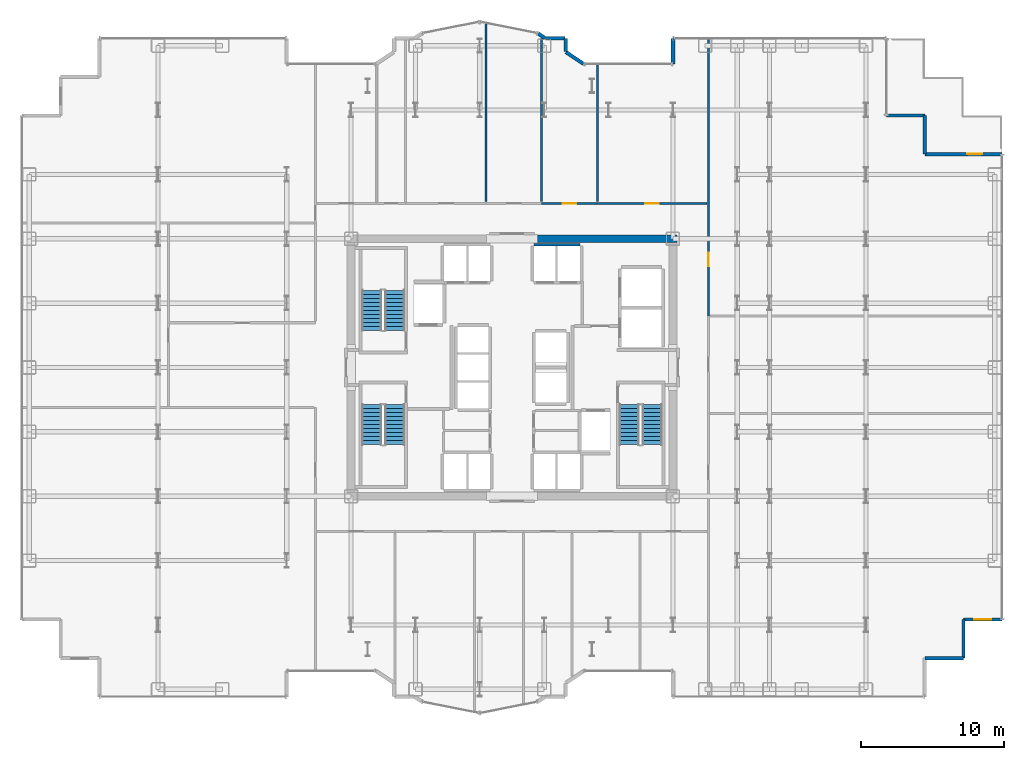
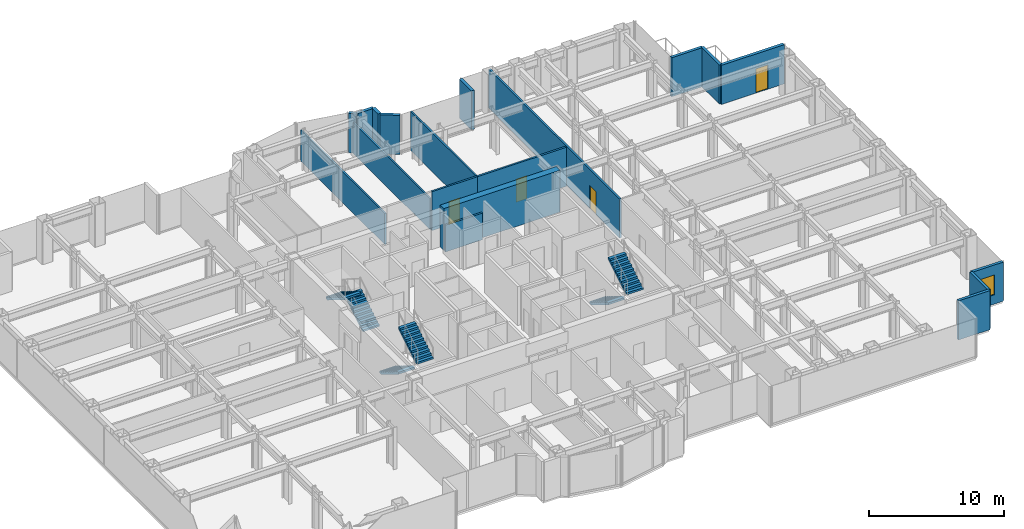
# One storey, part 24 of 26: 19 walls, 6 stair flights, 4 doors, 1 window, 5 openings, 3 elements without a shape of their own.
"""IFC4 building model written with IfcOpenShell, lengths in metres."""

import ifcopenshell
import ifcopenshell.guid

model = None  # the IFC model being written
_history = None  # IfcOwnerHistory: only IFC2X3 demands one
_inside = {}  # id of a spatial element -> (the spatial element, [elements in it])
_under = {}  # id of a project, library or spatial element -> (it, [spatial elements below it])
_declared = {}  # id of a project -> (the project, [libraries it declares])
_typed = {}  # id of a type object -> (the type object, [elements of that type])
_made_of = {}  # id of a material, layer set ... -> (it, [elements and type objects made of it])


def new_model(schema):
    """Start an empty IFC model of exactly this schema.

    Asked for "IFC4X3", IfcOpenShell would pick the latest addendum, in which some entities
    have other attributes; the version numbers below select the first issue.
    IFC2X3 requires an IfcOwnerHistory on every rooted entity: one is made here for all.
    """
    global model, _history
    if schema == "IFC4X3":
        model = ifcopenshell.file(schema_version=(4, 3, 0, 0))
    else:
        model = ifcopenshell.file(schema=schema)
    _inside.clear()
    _under.clear()
    _declared.clear()
    _typed.clear()
    _made_of.clear()
    _history = None
    if model.schema == "IFC2X3":
        org = make("IfcOrganization", Name="unknown")
        user = make(
            "IfcPersonAndOrganization",
            ThePerson=make("IfcPerson", FamilyName="unknown"),
            TheOrganization=org,
        )
        app = make(
            "IfcApplication",
            ApplicationDeveloper=org,
            Version="unknown",
            ApplicationFullName="unknown",
            ApplicationIdentifier="unknown",
        )
        _history = make(
            "IfcOwnerHistory",
            OwningUser=user,
            OwningApplication=app,
            ChangeAction="ADDED",
            CreationDate=0,
        )
    return model


def make(cls, **values):
    """One entity of the class cls with the attributes given. An attribute that is None is left unset."""
    return model.create_entity(
        cls, **{name: value for name, value in values.items() if value is not None}
    )


def rooted(cls, **values):
    """An entity with a GlobalId (a new one), such as an element, a storey or a relation."""
    return make(cls, GlobalId=ifcopenshell.guid.new(), OwnerHistory=_history, **values)


def si_unit(unit_type, name, prefix=None):
    """IfcSIUnit, for example si_unit("LENGTHUNIT", "METRE", prefix="MILLI")."""
    return make("IfcSIUnit", UnitType=unit_type, Prefix=prefix, Name=name)


def assignment(units):
    """IfcUnitAssignment: the units of a project."""
    return None if units is None else make("IfcUnitAssignment", Units=units)


def point(xyz):
    """IfcCartesianPoint."""
    return None if xyz is None else make("IfcCartesianPoint", Coordinates=xyz)


def direction(xyz):
    """IfcDirection."""
    return None if xyz is None else make("IfcDirection", DirectionRatios=xyz)


def frame(location, z_axis=None, x_axis=None):
    """IfcAxis2Placement3D, a coordinate frame: its origin and axes. An axis left out is left unset."""
    return make(
        "IfcAxis2Placement3D",
        Location=point(location),
        Axis=direction(z_axis),
        RefDirection=direction(x_axis),
    )


def frame_2d(location, x_axis=None):
    """IfcAxis2Placement2D, a coordinate frame in the plane: its origin and x axis."""
    return make(
        "IfcAxis2Placement2D", Location=point(location), RefDirection=direction(x_axis)
    )


def origin():
    """The frame at (0, 0, 0) with its axes left unset."""
    return frame((0.0, 0.0, 0.0))


def place(relative_to, where):
    """IfcLocalPlacement: puts the frame where relative to a parent placement (None: the world)."""
    return make(
        "IfcLocalPlacement", PlacementRelTo=relative_to, RelativePlacement=where
    )


def context(
    kind, dimensions, precision=None, world=None, true_north=None, identifier=None
):
    """IfcGeometricRepresentationContext, for example the 3D "Model" context."""
    return make(
        "IfcGeometricRepresentationContext",
        ContextIdentifier=identifier,
        ContextType=kind,
        CoordinateSpaceDimension=dimensions,
        Precision=precision,
        WorldCoordinateSystem=world,
        TrueNorth=true_north,
    )


def subcontext(parent, identifier, kind, view, scale=None):
    """IfcGeometricRepresentationSubContext, for example "Body" below "Model"."""
    return make(
        "IfcGeometricRepresentationSubContext",
        ContextIdentifier=identifier,
        ContextType=kind,
        ParentContext=parent,
        TargetScale=scale,
        TargetView=view,
    )


def project(units=None, contexts=None):
    """IfcProject with its units and contexts."""
    return rooted(
        "IfcProject",
        Name="project",
        RepresentationContexts=contexts,
        UnitsInContext=assignment(units),
    )


def spatial(cls, under=None, at=None, **own):
    """A site, building, storey or space (cls), placed at a placement, below another one or the project."""
    s = rooted(cls, ObjectPlacement=at, **own)
    if under is not None:
        _under.setdefault(under.id(), (under, []))[1].append(s)
    return s


def polyline(points):
    """IfcPolyline through the points."""
    return make("IfcPolyline", Points=[point(p) for p in points])


def profile(cls, at=None, kind="AREA", **sizes):
    """A parametric profile (cls). Its sizes go by their IFC names, for example OverallWidth=200.0."""
    return make(cls, ProfileType=kind, Position=at, **sizes)


def rectangle(**sizes):
    """IfcRectangleProfileDef."""
    return profile("IfcRectangleProfileDef", **sizes)


def outline(outer, holes=None, kind="AREA"):
    """IfcArbitraryClosedProfileDef: a profile drawn as a closed curve; with holes, ...WithVoids."""
    if holes is None:
        return make("IfcArbitraryClosedProfileDef", ProfileType=kind, OuterCurve=outer)
    return make(
        "IfcArbitraryProfileDefWithVoids",
        ProfileType=kind,
        OuterCurve=outer,
        InnerCurves=holes,
    )


def extrude(swept, where, along, depth):
    """IfcExtrudedAreaSolid: the profile swept, set in the frame where, extruded along a direction by depth."""
    return make(
        "IfcExtrudedAreaSolid",
        SweptArea=swept,
        Position=where,
        ExtrudedDirection=direction(along),
        Depth=depth,
    )


def shape(context_of_items, identifier, shape_type, items):
    """IfcShapeRepresentation: the items that make up one representation, for example the "Body"."""
    return make(
        "IfcShapeRepresentation",
        ContextOfItems=context_of_items,
        RepresentationIdentifier=identifier,
        RepresentationType=shape_type,
        Items=items,
    )


def source(mapping_origin, context_of_items, identifier, shape_type, items):
    """IfcRepresentationMap: a shape defined once, which mapped items show again and again."""
    return make(
        "IfcRepresentationMap",
        MappingOrigin=mapping_origin,
        MappedRepresentation=shape(context_of_items, identifier, shape_type, items),
    )


def transform(
    local_origin,
    x_axis=None,
    y_axis=None,
    z_axis=None,
    scale=None,
    scale2=None,
    scale3=None,
    uniform=True,
):
    """IfcCartesianTransformationOperator3D, or its non-uniform kind. x_axis, y_axis, z_axis: its Axis1, 2, 3."""
    if uniform:
        return make(
            "IfcCartesianTransformationOperator3D",
            Axis1=direction(x_axis),
            Axis2=direction(y_axis),
            LocalOrigin=point(local_origin),
            Scale=scale,
            Axis3=direction(z_axis),
        )
    return make(
        "IfcCartesianTransformationOperator3DnonUniform",
        Axis1=direction(x_axis),
        Axis2=direction(y_axis),
        LocalOrigin=point(local_origin),
        Scale=scale,
        Axis3=direction(z_axis),
        Scale2=scale2,
        Scale3=scale3,
    )


def mapped(mapping_source, mapping_target):
    """IfcMappedItem: shows the shape of a source again, moved by a transform."""
    return make(
        "IfcMappedItem", MappingSource=mapping_source, MappingTarget=mapping_target
    )


def material(Name=None, Category=None):
    """IfcMaterial."""
    return make("IfcMaterial", Name=Name, Category=Category)


def layer(
    of_material, thickness, ventilated=None, Name=None, Category=None, Priority=None
):
    """IfcMaterialLayer: one layer of a wall or slab, of a material (None: an air gap)."""
    return make(
        "IfcMaterialLayer",
        Material=of_material,
        LayerThickness=thickness,
        IsVentilated=ventilated,
        Name=Name,
        Category=Category,
        Priority=Priority,
    )


def layer_set(layers, Name=None):
    """IfcMaterialLayerSet."""
    return make("IfcMaterialLayerSet", MaterialLayers=layers, LayerSetName=Name)


def made_of(thing, what):
    """Note that an element or type object is made of a material, layer set ...; save() writes the relation."""
    if what is not None:
        _made_of.setdefault(what.id(), (what, []))[1].append(thing)
    return thing


def type_object(cls, material=None, **own):
    """A type object (cls), such as IfcWallType, which elements share."""
    return made_of(rooted(cls, **own), material)


def element(
    cls,
    number,
    at=None,
    inside=None,
    cuts=None,
    type_object=None,
    material=None,
    context=None,
    identifier="Body",
    shape_type=None,
    held_by="IfcProductDefinitionShape",
    body=None,
    shapes=None,
    **own,
):
    """One element of the class cls, such as IfcWall. Its Tag is "e" and its number.

    at: its placement. inside: the storey or other place that contains it. cuts: it is an
    opening in that element (IfcRelVoidsElement). A single representation is given by context,
    identifier, shape_type and body (its items); several are given by shapes. held_by: the class
    of the entity that holds the representations. save() writes the other relations.
    """
    e = rooted(cls, Tag="e%d" % number, ObjectPlacement=at, **own)
    if body is not None:
        shapes = [shape(context, identifier, shape_type, body)]
    if shapes is not None:
        e.Representation = make(held_by, Representations=shapes)
    if inside is not None:
        _inside.setdefault(inside.id(), (inside, []))[1].append(e)
    if cuts is not None:
        rooted(
            "IfcRelVoidsElement", RelatingBuildingElement=cuts, RelatedOpeningElement=e
        )
    if type_object is not None:
        _typed.setdefault(type_object.id(), (type_object, []))[1].append(e)
    return made_of(e, material)


def fill(opening, filler):
    """IfcRelFillsElement: the door or window that sits in an opening."""
    return rooted(
        "IfcRelFillsElement",
        RelatingOpeningElement=opening,
        RelatedBuildingElement=filler,
    )


def aggregate(whole, parts):
    """IfcRelAggregates: a whole, such as a stair, and the parts it consists of."""
    return rooted("IfcRelAggregates", RelatingObject=whole, RelatedObjects=parts)


def save(model, path):
    """Write the relations noted so far, then the file.

    IfcRelAggregates (storeys below a building ...), IfcRelContainedInSpatialStructure (elements
    in a storey), IfcRelDefinesByType, IfcRelAssociatesMaterial and IfcRelDeclares: one each for
    every whole, place, type object, material and project.
    """
    for whole, parts in _under.values():
        aggregate(whole, parts)
    for where, things in _inside.values():
        rooted(
            "IfcRelContainedInSpatialStructure",
            RelatedElements=things,
            RelatingStructure=where,
        )
    for kind, things in _typed.values():
        rooted("IfcRelDefinesByType", RelatedObjects=things, RelatingType=kind)
    for what, things in _made_of.values():
        rooted("IfcRelAssociatesMaterial", RelatedObjects=things, RelatingMaterial=what)
    for by, libraries in _declared.values():
        rooted("IfcRelDeclares", RelatingContext=by, RelatedDefinitions=libraries)
    model.write(path)


model = new_model("IFC4")

# Units and contexts
model_context = context("Model", 3, precision=1e-05, world=origin(), true_north=direction((0.0, 1.0)))
body_context = subcontext(model_context, "Body", "Model", "MODEL_VIEW")
ifc_project = project(units=[si_unit("LENGTHUNIT", "METRE"), si_unit("AREAUNIT", "SQUARE_METRE"), si_unit("VOLUMEUNIT", "CUBIC_METRE"), si_unit("PLANEANGLEUNIT", "RADIAN"), si_unit("MASSUNIT", "GRAM", prefix="KILO")], contexts=[model_context])

# Site, building, storey
site_placement = place(None, origin())
site = spatial("IfcSite", under=ifc_project, at=site_placement, CompositionType="ELEMENT")
building_placement = place(site_placement, origin())
building = spatial("IfcBuilding", under=site, at=building_placement, Name="Nefas-Gora Pilgrimage Tower", CompositionType="ELEMENT")
storey_placement = place(building_placement, frame((0.0, 0.0, 106.0)))
storey = spatial("IfcBuildingStorey", under=building, at=storey_placement, Name="L25", CompositionType="ELEMENT", Elevation=106.0)

# Walls
ifc_material_1 = material(Name="Concrete C60/75", Category="concrete")
ifc_layer_1 = layer(ifc_material_1, 0.550048828125)
ifc_layer_set_1 = layer_set([ifc_layer_1], Name="Concrete C60/75")
wall_type_1 = type_object("IfcWallType", Name="SW-CORE-550", PredefinedType="SHEAR", material=ifc_layer_set_1)
shared_shape_1 = source(origin(), body_context, "Body", "SweptSolid", [
    extrude(rectangle(XDim=9.974853515625, YDim=0.550048828125, at=frame_2d((4.9873046875, 0.0))), origin(), (0.0, 0.0, 1.0), 3.800048828125),
])
wall_1_placement = place(storey_placement, frame((1.550048828125, 9.0, 0.0), z_axis=(0.0, 0.0, 1.0), x_axis=(1.0, 0.0, 0.0)))
element("IfcWall", 1, at=wall_1_placement, inside=storey, type_object=wall_type_1, Name="L25 Core Shear Wall N-East", PredefinedType="SHEAR", context=body_context, shape_type="MappedRepresentation", body=[
    mapped(shared_shape_1, transform((0.0, 0.0, 0.0), x_axis=(1.0, 0.0, 0.0), y_axis=(0.0, 1.0, 0.0), z_axis=(0.0, 0.0, 1.0), scale=1.0)),
])
ifc_material_2 = material(Name="Precast concrete C40/50", Category="concrete")
ifc_layer_2 = layer(ifc_material_2, 0.260009765625)
ifc_layer_set_2 = layer_set([ifc_layer_2], Name="Precast concrete C40/50")
wall_type_2 = type_object("IfcWallType", Name="EW-PORTAL-260", PredefinedType="SOLIDWALL", material=ifc_layer_set_2)
shared_shape_2 = source(origin(), body_context, "Body", "SweptSolid", [
    extrude(rectangle(XDim=1.800048828125, YDim=0.260009765625, at=frame_2d((0.89990234375, 0.0))), origin(), (0.0, 0.0, 1.0), 3.550048828125),
])
wall_2_placement = place(storey_placement, frame((11.25, 23.02001953125, 0.0), z_axis=(0.0, 0.0, 1.0), x_axis=(0.0, -1.0, 0.0)))
element("IfcWall", 2, at=wall_2_placement, inside=storey, type_object=wall_type_2, Name="L25 Lobe Shoulder Precast Spandrel Pier 9", PredefinedType="SOLIDWALL", context=body_context, shape_type="MappedRepresentation", body=[
    mapped(shared_shape_2, transform((0.0, 0.0, 0.0), x_axis=(1.0, 0.0, 0.0), y_axis=(0.0, 1.0, 0.0), z_axis=(0.0, 0.0, 1.0), scale=1.0)),
])
ifc_material_3 = material(Name="Precast concrete C45/55", Category="concrete")
ifc_layer_3 = layer(ifc_material_3, 0.239990234375)
ifc_layer_set_3 = layer_set([ifc_layer_3], Name="Precast concrete C45/55")
wall_type_3 = type_object("IfcWallType", Name="EW-SERR-240", PredefinedType="SHEAR", material=ifc_layer_set_3)
shared_shape_3 = source(origin(), body_context, "Body", "SweptSolid", [
    extrude(rectangle(XDim=2.699951171875, YDim=0.239990234375, at=frame_2d((1.35009765625, 0.0))), origin(), (0.0, 0.0, 1.0), 3.550048828125),
])
for number, where, z_axis, x_axis, name in (
    (3, (28.8701171875, -20.320068359375, 0.0), (0.0, 0.0, 1.0), (1.0, 0.0, 0.0), "L25 Serrated Corner Shear Pier Wall 3"),
    (4, (31.570068359375, -20.320068359375, 0.0), (0.0, 0.0, 1.0), (0.0, 1.0, 0.0), "L25 Serrated Corner Shear Pier Wall 4"),
):
    element("IfcWall", number, at=place(storey_placement, frame(where, z_axis=z_axis, x_axis=x_axis)), inside=storey, type_object=wall_type_3, Name=name, PredefinedType="SHEAR", context=body_context, shape_type="MappedRepresentation", body=[
        mapped(shared_shape_3, transform((0.0, 0.0, 0.0), x_axis=(1.0, 0.0, 0.0), y_axis=(0.0, 1.0, 0.0), z_axis=(0.0, 0.0, 1.0), scale=1.0)),
    ])

# Wall, opening, window
wall_3_placement = place(storey_placement, frame((31.570068359375, -17.6201171875, 0.0), z_axis=(0.0, 0.0, 1.0), x_axis=(1.0, 0.0, 0.0)))
wall_3 = element("IfcWall", 5, at=wall_3_placement, inside=storey, type_object=wall_type_3, Name="L25 Serrated Corner Shear Pier Wall 5", PredefinedType="SHEAR", context=body_context, shape_type="MappedRepresentation", body=[
    mapped(shared_shape_3, transform((0.0, 0.0, 0.0), x_axis=(1.0, 0.0, 0.0), y_axis=(0.0, 1.0, 0.0), z_axis=(0.0, 0.0, 1.0), scale=1.0)),
])
opening_1_placement = place(wall_3_placement, frame((0.75, 0.0, 0.85009765625)))
opening_1 = element("IfcOpeningElement", 6, at=opening_1_placement, cuts=wall_3, Name="Opening W-V1", PredefinedType="OPENING", context=body_context, shape_type="SweptSolid", body=[
    extrude(rectangle(XDim=1.199951171875, YDim=1.800048828125, at=frame_2d((0.60009765625, 0.89990234375))), frame((0.0, 0.1298828125, 0.0), z_axis=(0.0, -1.0, 0.0), x_axis=(1.0, 0.0, 0.0)), (0.0, 0.0, 1.0), 0.260009765625),
])
ifc_material_4 = material(Name="Dark ceramic-fritted operable aluminium-glass window", Category="aluminium")
window_type = type_object("IfcWindowType", Name="WIN-VENT-1200x1800", PartitioningType="SINGLE_PANEL", PredefinedType="WINDOW", material=ifc_material_4)
shared_shape_4 = source(origin(), body_context, "Body", "SweptSolid", [
    extrude(rectangle(XDim=1.199951171875, YDim=1.800048828125, at=frame_2d((0.60009765625, 0.89990234375))), frame((0.0, 0.030029296875, 0.0), z_axis=(0.0, -1.0, 0.0), x_axis=(1.0, 0.0, 0.0)), (0.0, 0.0, 1.0), 0.06005859375),
])
window_placement = place(opening_1_placement, origin())
window = element("IfcWindow", 7, at=window_placement, inside=storey, type_object=window_type, Name="L25 Operable Parallel-Outswing Window 5", OverallHeight=1.800048828125, OverallWidth=1.199951171875, PartitioningType="SINGLE_PANEL", PredefinedType="WINDOW", context=body_context, shape_type="MappedRepresentation", body=[
    mapped(shared_shape_4, transform((0.0, 0.0, 0.0), x_axis=(1.0, 0.0, 0.0), y_axis=(0.0, 1.0, 0.0), z_axis=(0.0, 0.0, 1.0), scale=1.0)),
])
fill(opening_1, window)

# Walls
shared_shape_5 = source(origin(), body_context, "Body", "SweptSolid", [
    extrude(rectangle(XDim=1.468994140625, YDim=0.260009765625, at=frame_2d((0.734375, 0.0))), origin(), (0.0, 0.0, 1.0), 3.550048828125),
])
wall_4_placement = place(storey_placement, frame((4.99462890625, 21.235595703125, 0.0), z_axis=(0.0, 0.0, 1.0), x_axis=(-0.831461760506, 0.555581983884, 0.0)))
element("IfcWall", 8, at=wall_4_placement, inside=storey, type_object=wall_type_2, Name="L25 Lobe Shoulder Precast Spandrel Pier 10", PredefinedType="SOLIDWALL", context=body_context, shape_type="MappedRepresentation", body=[
    mapped(shared_shape_5, transform((0.0, 0.0, 0.0), x_axis=(1.0, 0.0, 0.0), y_axis=(0.0, 1.0, 0.0), z_axis=(0.0, 0.0, 1.0), scale=1.0)),
])
shared_shape_6 = source(origin(), body_context, "Body", "SweptSolid", [
    extrude(rectangle(XDim=0.896728515625, YDim=0.260009765625, at=frame_2d((0.4482421875, 0.0))), origin(), (0.0, 0.0, 1.0), 3.550048828125),
])
wall_5_placement = place(storey_placement, frame((3.75, 22.09521484375, 0.0), z_axis=(0.0, 0.0, 1.0), x_axis=(0.0, 1.0, 0.0)))
element("IfcWall", 9, at=wall_5_placement, inside=storey, type_object=wall_type_2, Name="L25 Lobe Shoulder Precast Spandrel Pier 11", PredefinedType="SOLIDWALL", context=body_context, shape_type="MappedRepresentation", body=[
    mapped(shared_shape_6, transform((0.0, 0.0, 0.0), x_axis=(1.0, 0.0, 0.0), y_axis=(0.0, 1.0, 0.0), z_axis=(0.0, 0.0, 1.0), scale=1.0)),
])
shared_shape_7 = source(origin(), body_context, "Body", "SweptSolid", [
    extrude(rectangle(XDim=1.369873046875, YDim=0.260009765625, at=frame_2d((0.68505859375, 0.0))), origin(), (0.0, 0.0, 1.0), 3.550048828125),
])
wall_6_placement = place(storey_placement, frame((3.721923828125, 23.02001953125, 0.0), z_axis=(0.0, 0.0, 1.0), x_axis=(-1.0, 0.0, 0.0)))
element("IfcWall", 10, at=wall_6_placement, inside=storey, type_object=wall_type_2, Name="L25 Lobe Shoulder Precast Spandrel Pier 12", PredefinedType="SOLIDWALL", context=body_context, shape_type="MappedRepresentation", body=[
    mapped(shared_shape_7, transform((0.0, 0.0, 0.0), x_axis=(1.0, 0.0, 0.0), y_axis=(0.0, 1.0, 0.0), z_axis=(0.0, 0.0, 1.0), scale=1.0)),
])
shared_shape_8 = source(origin(), body_context, "Body", "SweptSolid", [
    extrude(rectangle(XDim=0.5654296875, YDim=0.260009765625, at=frame_2d((0.28271484375, 0.0))), origin(), (0.0, 0.0, 1.0), 3.550048828125),
])
wall_7_placement = place(storey_placement, frame((2.30078125, 23.03564453125, 0.0), z_axis=(0.0, 0.0, 1.0), x_axis=(-0.831651492666, 0.555297933317, 0.0)))
element("IfcWall", 11, at=wall_7_placement, inside=storey, type_object=wall_type_2, Name="L25 Lobe Shoulder Precast Spandrel Pier 13", PredefinedType="SOLIDWALL", context=body_context, shape_type="MappedRepresentation", body=[
    mapped(shared_shape_8, transform((0.0, 0.0, 0.0), x_axis=(1.0, 0.0, 0.0), y_axis=(0.0, 1.0, 0.0), z_axis=(0.0, 0.0, 1.0), scale=1.0)),
])

# Wall, opening, door
shared_shape_9 = source(origin(), body_context, "Body", "SweptSolid", [
    extrude(rectangle(XDim=5.39990234375, YDim=0.260009765625, at=frame_2d((2.699951171875, 0.0))), origin(), (0.0, 0.0, 1.0), 3.550048828125),
])
wall_8_placement = place(storey_placement, frame((34.27001953125, 14.919921875, 0.0), z_axis=(0.0, 0.0, 1.0), x_axis=(-1.0, 0.0, 0.0)))
wall_8 = element("IfcWall", 12, at=wall_8_placement, inside=storey, type_object=wall_type_2, Name="L25 Insulated Terrace Portal Wall 6", PredefinedType="SOLIDWALL", context=body_context, shape_type="MappedRepresentation", body=[
    mapped(shared_shape_9, transform((0.0, 0.0, 0.0), x_axis=(1.0, 0.0, 0.0), y_axis=(0.0, 1.0, 0.0), z_axis=(0.0, 0.0, 1.0), scale=1.0)),
])
opening_2_placement = place(wall_8_placement, frame((1.39697265625, 0.0, 0.0)))
opening_2 = element("IfcOpeningElement", 13, at=opening_2_placement, cuts=wall_8, Name="Opening ED-T1", PredefinedType="OPENING", context=body_context, shape_type="SweptSolid", body=[
    extrude(rectangle(XDim=1.050048828125, YDim=2.199951171875, at=frame_2d((0.52490234375, 1.10009765625))), frame((0.0, 0.139892578125, 0.0), z_axis=(0.0, -1.0, 0.0), x_axis=(1.0, 0.0, 0.0)), (0.0, 0.0, 1.0), 0.280029296875),
])
ifc_material_5 = material(Name="Thermally broken glazed aluminium terrace door", Category="aluminium")
door_type_1 = type_object("IfcDoorType", Name="DR-EXT-TER-1050", OperationType="NOTDEFINED", PredefinedType="DOOR", material=ifc_material_5)
shared_shape_10 = source(origin(), body_context, "Body", "SweptSolid", [
    extrude(rectangle(XDim=1.050048828125, YDim=2.199951171875, at=frame_2d((0.52490234375, 1.10009765625))), frame((0.0, 0.02490234375, 0.0), z_axis=(0.0, -1.0, 0.0), x_axis=(1.0, 0.0, 0.0)), (0.0, 0.0, 1.0), 0.050048828125),
])
door_1_placement = place(opening_2_placement, origin())
door_1 = element("IfcDoor", 14, at=door_1_placement, inside=storey, type_object=door_type_1, Name="L25 Exterior Door (L25 Outdoor Terrace TER-SP-NE)", OperationType="SINGLE_SWING_LEFT", OverallHeight=2.199951171875, OverallWidth=1.050048828125, PredefinedType="DOOR", context=body_context, shape_type="MappedRepresentation", body=[
    mapped(shared_shape_10, transform((0.0, 0.0, 0.0), x_axis=(1.0, 0.0, 0.0), y_axis=(0.0, 1.0, 0.0), z_axis=(0.0, 0.0, 1.0), scale=1.0)),
])
fill(opening_2, door_1)

# Walls
shared_shape_11 = source(origin(), body_context, "Body", "SweptSolid", [
    extrude(rectangle(XDim=2.7001953125, YDim=0.239990234375, at=frame_2d((1.35009765625, 0.0))), origin(), (0.0, 0.0, 1.0), 3.550048828125),
])
for number, where, z_axis, x_axis, name in (
    (15, (28.8701171875, 14.919921875, 0.0), (0.0, 0.0, 1.0), (0.0, 1.0, 0.0), "L25 Serrated Corner Shear Pier Wall 7"),
    (16, (28.8701171875, 17.6201171875, 0.0), (0.0, 0.0, 1.0), (-1.0, 0.0, 0.0), "L25 Serrated Corner Shear Pier Wall 8"),
):
    element("IfcWall", number, at=place(storey_placement, frame(where, z_axis=z_axis, x_axis=x_axis)), inside=storey, type_object=wall_type_3, Name=name, PredefinedType="SHEAR", context=body_context, shape_type="MappedRepresentation", body=[
        mapped(shared_shape_11, transform((0.0, 0.0, 0.0), x_axis=(1.0, 0.0, 0.0), y_axis=(0.0, 1.0, 0.0), z_axis=(0.0, 0.0, 1.0), scale=1.0)),
    ])
ifc_material_6 = material(Name="Gypsum acoustic stud partition")
ifc_layer_4 = layer(ifc_material_6, 0.159912109375)
ifc_layer_set_4 = layer_set([ifc_layer_4], Name="Gypsum acoustic stud partition")
wall_type_4 = type_object("IfcWallType", Name="IW-CORR-160", PredefinedType="PARTITIONING", material=ifc_layer_set_4)
shared_shape_12 = source(origin(), body_context, "Body", "SweptSolid", [
    extrude(rectangle(XDim=3.199951171875, YDim=0.159912109375, at=frame_2d((1.60009765625, 0.0))), origin(), (0.0, 0.0, 1.0), 2.425048828125),
])
wall_9_placement = place(storey_placement, frame((4.75, 8.580078125, 0.0), z_axis=(0.0, 0.0, 1.0), x_axis=(-1.0, 0.0, 0.0)))
element("IfcWall", 17, at=wall_9_placement, inside=storey, type_object=wall_type_4, Name="L25 Hoistway Wall PL1-E-N", PredefinedType="PARTITIONING", context=body_context, shape_type="MappedRepresentation", body=[
    mapped(shared_shape_12, transform((0.0, 0.0, 0.0), x_axis=(1.0, 0.0, 0.0), y_axis=(0.0, 1.0, 0.0), z_axis=(0.0, 0.0, 1.0), scale=1.0)),
])
ifc_material_7 = material(Name="Gypsum twin-stud partition")
ifc_layer_5 = layer(ifc_material_7, 0.139892578125)
ifc_layer_set_5 = layer_set([ifc_layer_5], Name="Gypsum twin-stud partition")
wall_type_5 = type_object("IfcWallType", Name="IW-UNIT-140", PredefinedType="PARTITIONING", material=ifc_layer_set_5)
shared_shape_13 = source(origin(), body_context, "Body", "SweptSolid", [
    extrude(rectangle(XDim=9.64990234375, YDim=0.139892578125, at=frame_2d((4.824951171875, 0.0))), origin(), (0.0, 0.0, 1.0), 3.534912109375),
])
wall_10_placement = place(storey_placement, frame((5.969970703125, 11.590087890625, 0.0), z_axis=(0.0, 0.0, 1.0), x_axis=(0.0, 1.0, 0.0)))
element("IfcWall", 18, at=wall_10_placement, inside=storey, type_object=wall_type_5, Name="L25 Pilgrim Contemplative Lounge Partition Wall 44", PredefinedType="PARTITIONING", context=body_context, shape_type="MappedRepresentation", body=[
    mapped(shared_shape_13, transform((0.0, 0.0, 0.0), x_axis=(1.0, 0.0, 0.0), y_axis=(0.0, 1.0, 0.0), z_axis=(0.0, 0.0, 1.0), scale=1.0)),
])

# Wall, opening, door
shared_shape_14 = source(origin(), body_context, "Body", "SweptSolid", [
    extrude(rectangle(XDim=19.445068359375, YDim=0.159912109375, at=frame_2d((9.72265625, 0.0))), origin(), (0.0, 0.0, 1.0), 3.534912109375),
])
wall_11_placement = place(storey_placement, frame((13.739990234375, 3.594970703125, 0.0), z_axis=(0.0, 0.0, 1.0), x_axis=(0.0, 1.0, 0.0)))
wall_11 = element("IfcWall", 19, at=wall_11_placement, inside=storey, type_object=wall_type_4, Name="L25 Pilgrim Fellowship Seminar Room Partition Wall 39", PredefinedType="PARTITIONING", context=body_context, shape_type="MappedRepresentation", body=[
    mapped(shared_shape_14, transform((0.0, 0.0, 0.0), x_axis=(1.0, 0.0, 0.0), y_axis=(0.0, 1.0, 0.0), z_axis=(0.0, 0.0, 1.0), scale=1.0)),
])
opening_3_placement = place(wall_11_placement, frame((3.482421875, 0.0, 0.0)))
opening_3 = element("IfcOpeningElement", 20, at=opening_3_placement, cuts=wall_11, Name="Opening ID-GR1", PredefinedType="OPENING", context=body_context, shape_type="SweptSolid", body=[
    extrude(rectangle(XDim=0.949951171875, YDim=2.10009765625, at=frame_2d((0.47509765625, 1.050048828125))), frame((0.0, 0.08984375, 0.0), z_axis=(0.0, -1.0, 0.0), x_axis=(1.0, 0.0, 0.0)), (0.0, 0.0, 1.0), 0.179931640625),
])
ifc_material_8 = material(Name="Solid core oak fire-rated guest entrance door")
door_type_2 = type_object("IfcDoorType", Name="DR-INT-GUEST-950", OperationType="NOTDEFINED", PredefinedType="DOOR", material=ifc_material_8)
shared_shape_15 = source(origin(), body_context, "Body", "SweptSolid", [
    extrude(rectangle(XDim=0.949951171875, YDim=2.10009765625, at=frame_2d((0.47509765625, 1.050048828125))), frame((0.0, 0.02490234375, 0.0), z_axis=(0.0, -1.0, 0.0), x_axis=(1.0, 0.0, 0.0)), (0.0, 0.0, 1.0), 0.050048828125),
])
door_2_placement = place(opening_3_placement, origin())
door_2 = element("IfcDoor", 21, at=door_2_placement, inside=storey, type_object=door_type_2, Name="L25 Pilgrim Fellowship Seminar Room Door 17", OperationType="SINGLE_SWING_LEFT", OverallHeight=2.10009765625, OverallWidth=0.949951171875, PredefinedType="DOOR", context=body_context, shape_type="MappedRepresentation", body=[
    mapped(shared_shape_15, transform((0.0, 0.0, 0.0), x_axis=(1.0, 0.0, 0.0), y_axis=(0.0, 1.0, 0.0), z_axis=(0.0, 0.0, 1.0), scale=1.0)),
])
fill(opening_3, door_2)

# Wall
shared_shape_16 = source(origin(), body_context, "Body", "SweptSolid", [
    extrude(rectangle(XDim=12.51416015625, YDim=0.139892578125, at=frame_2d((6.257080078125, 0.0))), origin(), (0.0, 0.0, 1.0), 2.824951171875),
])
wall_12_placement = place(storey_placement, frame((-1.804931640625, 11.590087890625, 0.0), z_axis=(0.0, 0.0, 1.0), x_axis=(0.0, 1.0, 0.0)))
element("IfcWall", 22, at=wall_12_placement, inside=storey, type_object=wall_type_5, Name="L25 Pilgrim Contemplative Lounge Partition Wall 42", PredefinedType="PARTITIONING", context=body_context, shape_type="MappedRepresentation", body=[
    mapped(shared_shape_16, transform((0.0, 0.0, 0.0), x_axis=(1.0, 0.0, 0.0), y_axis=(0.0, 1.0, 0.0), z_axis=(0.0, 0.0, 1.0), scale=1.0)),
])

# Wall, opening, door
shared_shape_17 = source(origin(), body_context, "Body", "SweptSolid", [
    extrude(rectangle(XDim=7.66015625, YDim=0.159912109375, at=frame_2d((3.830078125, 0.0))), origin(), (0.0, 0.0, 1.0), 3.534912109375),
])
wall_13_placement = place(storey_placement, frame((5.9599609375, 11.469970703125, 0.0), z_axis=(0.0, 0.0, 1.0), x_axis=(1.0, 0.0, 0.0)))
wall_13 = element("IfcWall", 23, at=wall_13_placement, inside=storey, type_object=wall_type_4, Name="L25 Pilgrim Contemplative Lounge Partition Wall 43", PredefinedType="PARTITIONING", context=body_context, shape_type="MappedRepresentation", body=[
    mapped(shared_shape_17, transform((0.0, 0.0, 0.0), x_axis=(1.0, 0.0, 0.0), y_axis=(0.0, 1.0, 0.0), z_axis=(0.0, 0.0, 1.0), scale=1.0)),
])
opening_4_placement = place(wall_13_placement, frame((3.35498046875, 0.0, 0.0)))
opening_4 = element("IfcOpeningElement", 24, at=opening_4_placement, cuts=wall_13, Name="Opening ID-GR1", PredefinedType="OPENING", context=body_context, shape_type="SweptSolid", body=[
    extrude(rectangle(XDim=0.949951171875, YDim=2.10009765625, at=frame_2d((0.47509765625, 1.050048828125))), frame((0.0, 0.08984375, 0.0), z_axis=(0.0, -1.0, 0.0), x_axis=(1.0, 0.0, 0.0)), (0.0, 0.0, 1.0), 0.179931640625),
])
door_3_placement = place(opening_4_placement, origin())
door_3 = element("IfcDoor", 25, at=door_3_placement, inside=storey, type_object=door_type_2, Name="L25 Pilgrim Contemplative Lounge Door 20", OperationType="SINGLE_SWING_RIGHT", OverallHeight=2.10009765625, OverallWidth=0.949951171875, PredefinedType="DOOR", context=body_context, shape_type="MappedRepresentation", body=[
    mapped(shared_shape_15, transform((0.0, 0.0, 0.0), x_axis=(1.0, 0.0, 0.0), y_axis=(0.0, 1.0, 0.0), z_axis=(0.0, 0.0, 1.0), scale=1.0)),
])
fill(opening_4, door_3)

# Wall
shared_shape_18 = source(origin(), body_context, "Body", "SweptSolid", [
    extrude(rectangle(XDim=11.3994140625, YDim=0.139892578125, at=frame_2d((5.69970703125, 0.0))), origin(), (0.0, 0.0, 1.0), 2.824951171875),
])
wall_14_placement = place(storey_placement, frame((2.0673828125, 11.590087890625, 0.0), z_axis=(0.0, 0.0, 1.0), x_axis=(0.0, 1.0, 0.0)))
element("IfcWall", 26, at=wall_14_placement, inside=storey, type_object=wall_type_5, Name="L25 Pilgrim Contemplative Lounge Partition Wall 46", PredefinedType="PARTITIONING", context=body_context, shape_type="MappedRepresentation", body=[
    mapped(shared_shape_18, transform((0.0, 0.0, 0.0), x_axis=(1.0, 0.0, 0.0), y_axis=(0.0, 1.0, 0.0), z_axis=(0.0, 0.0, 1.0), scale=1.0)),
])

# Wall, opening, door
shared_shape_19 = source(origin(), body_context, "Body", "SweptSolid", [
    extrude(rectangle(XDim=3.882568359375, YDim=0.159912109375, at=frame_2d((1.94140625, 0.0))), origin(), (0.0, 0.0, 1.0), 3.534912109375),
])
wall_15_placement = place(storey_placement, frame((2.077392578125, 11.469970703125, 0.0), z_axis=(0.0, 0.0, 1.0), x_axis=(1.0, 0.0, 0.0)))
wall_15 = element("IfcWall", 27, at=wall_15_placement, inside=storey, type_object=wall_type_4, Name="L25 Pilgrim Contemplative Lounge Partition Wall 47", PredefinedType="PARTITIONING", context=body_context, shape_type="MappedRepresentation", body=[
    mapped(shared_shape_19, transform((0.0, 0.0, 0.0), x_axis=(1.0, 0.0, 0.0), y_axis=(0.0, 1.0, 0.0), z_axis=(0.0, 0.0, 1.0), scale=1.0)),
])
opening_5_placement = place(wall_15_placement, frame((1.46630859375, 0.0, 0.0)))
opening_5 = element("IfcOpeningElement", 28, at=opening_5_placement, cuts=wall_15, Name="Opening ID-GR1", PredefinedType="OPENING", context=body_context, shape_type="SweptSolid", body=[
    extrude(rectangle(XDim=0.949951171875, YDim=2.10009765625, at=frame_2d((0.47509765625, 1.050048828125))), frame((0.0, 0.08984375, 0.0), z_axis=(0.0, -1.0, 0.0), x_axis=(1.0, 0.0, 0.0)), (0.0, 0.0, 1.0), 0.179931640625),
])
door_4_placement = place(opening_5_placement, origin())
door_4 = element("IfcDoor", 29, at=door_4_placement, inside=storey, type_object=door_type_2, Name="L25 Pilgrim Contemplative Lounge Door 22", OperationType="SINGLE_SWING_RIGHT", OverallHeight=2.10009765625, OverallWidth=0.949951171875, PredefinedType="DOOR", context=body_context, shape_type="MappedRepresentation", body=[
    mapped(shared_shape_15, transform((0.0, 0.0, 0.0), x_axis=(1.0, 0.0, 0.0), y_axis=(0.0, 1.0, 0.0), z_axis=(0.0, 0.0, 1.0), scale=1.0)),
])
fill(opening_5, door_4)

# Stair, stair flights
ifc_material_9 = material(Name="Concrete C45/55", Category="concrete")
stair_type = type_object("IfcStairType", Name="STR-1400-R1727", PredefinedType="HALF_TURN_STAIR", material=ifc_material_9)
stair_1_placement = place(storey_placement, origin())
stair_1 = element("IfcStair", 30, at=stair_1_placement, inside=storey, type_object=stair_type, Name="L25 Pressurised Tower Exit Stair ST-01", PredefinedType="HALF_TURN_STAIR")
stair_flight_type = type_object("IfcStairFlightType", Name="STF-1400-R1727", PredefinedType="STRAIGHT", material=ifc_material_9)
shared_shape_20 = source(origin(), body_context, "Body", "SweptSolid", [
    extrude(outline(polyline([(0.0, 0.0), (0.0, 0.172607421875), (0.280029296875, 0.172607421875), (0.280029296875, 0.345458984375), (0.56005859375, 0.345458984375), (0.56005859375, 0.51806640625), (0.840087890625, 0.51806640625), (0.840087890625, 0.69091796875), (1.1201171875, 0.69091796875), (1.1201171875, 0.863525390625), (1.39990234375, 0.863525390625), (1.39990234375, 1.036376953125), (1.679931640625, 1.036376953125), (1.679931640625, 1.208984375), (1.9599609375, 1.208984375), (1.9599609375, 1.3818359375), (2.239990234375, 1.3818359375), (2.239990234375, 1.554443359375), (2.52001953125, 1.554443359375), (2.52001953125, 1.727294921875), (2.800048828125, 1.727294921875), (2.800048828125, 1.89990234375), (2.800048828125, 1.551025390625), (0.285400390625, 0.0), (0.0, 0.0)])), frame((0.0, 0.699951171875, 0.0), z_axis=(0.0, -1.0, 0.0), x_axis=(1.0, 0.0, 0.0)), (0.0, 0.0, 1.0), 1.39990234375),
])
stair_flight_1_placement = place(storey_placement, frame((-8.199951171875, 2.60009765625, 0.0), z_axis=(0.0, 0.0, 1.0), x_axis=(0.0, 1.0, 0.0)))
stair_flight_1 = element("IfcStairFlight", 31, at=stair_flight_1_placement, type_object=stair_flight_type, Name="ST-01 flight 1", NumberOfRisers=11, NumberOfTreads=10, PredefinedType="STRAIGHT", RiserHeight=0.172727273, TreadLength=0.28, context=body_context, shape_type="MappedRepresentation", body=[
    mapped(shared_shape_20, transform((0.0, 0.0, 0.0), x_axis=(1.0, 0.0, 0.0), y_axis=(0.0, 1.0, 0.0), z_axis=(0.0, 0.0, 1.0), scale=1.0)),
])
stair_flight_2_placement = place(storey_placement, frame((-9.800048828125, 5.39990234375, 1.89990234375), z_axis=(0.0, 0.0, 1.0), x_axis=(0.0, -1.0, 0.0)))
stair_flight_2 = element("IfcStairFlight", 32, at=stair_flight_2_placement, type_object=stair_flight_type, Name="ST-01 flight 2", NumberOfRisers=11, NumberOfTreads=10, PredefinedType="STRAIGHT", RiserHeight=0.172727273, TreadLength=0.28, context=body_context, shape_type="MappedRepresentation", body=[
    mapped(shared_shape_20, transform((0.0, 0.0, 0.0), x_axis=(1.0, 0.0, 0.0), y_axis=(0.0, 1.0, 0.0), z_axis=(0.0, 0.0, 1.0), scale=1.0)),
])
aggregate(stair_1, [stair_flight_1, stair_flight_2])

stair_2_placement = place(storey_placement, origin())
stair_2 = element("IfcStair", 33, at=stair_2_placement, inside=storey, type_object=stair_type, Name="L25 Pressurised Tower Exit Stair ST-02", PredefinedType="HALF_TURN_STAIR")
stair_flight_3_placement = place(storey_placement, frame((8.199951171875, -2.60009765625, 0.0), z_axis=(0.0, 0.0, 1.0), x_axis=(0.0, -1.0, 0.0)))
stair_flight_3 = element("IfcStairFlight", 34, at=stair_flight_3_placement, type_object=stair_flight_type, Name="ST-02 flight 1", NumberOfRisers=11, NumberOfTreads=10, PredefinedType="STRAIGHT", RiserHeight=0.172727273, TreadLength=0.28, context=body_context, shape_type="MappedRepresentation", body=[
    mapped(shared_shape_20, transform((0.0, 0.0, 0.0), x_axis=(1.0, 0.0, 0.0), y_axis=(0.0, 1.0, 0.0), z_axis=(0.0, 0.0, 1.0), scale=1.0)),
])
stair_flight_4_placement = place(storey_placement, frame((9.800048828125, -5.39990234375, 1.89990234375), z_axis=(0.0, 0.0, 1.0), x_axis=(0.0, 1.0, 0.0)))
stair_flight_4 = element("IfcStairFlight", 35, at=stair_flight_4_placement, type_object=stair_flight_type, Name="ST-02 flight 2", NumberOfRisers=11, NumberOfTreads=10, PredefinedType="STRAIGHT", RiserHeight=0.172727273, TreadLength=0.28, context=body_context, shape_type="MappedRepresentation", body=[
    mapped(shared_shape_20, transform((0.0, 0.0, 0.0), x_axis=(1.0, 0.0, 0.0), y_axis=(0.0, 1.0, 0.0), z_axis=(0.0, 0.0, 1.0), scale=1.0)),
])
aggregate(stair_2, [stair_flight_3, stair_flight_4])

stair_3_placement = place(storey_placement, origin())
stair_3 = element("IfcStair", 36, at=stair_3_placement, inside=storey, type_object=stair_type, Name="L25 Pressurised Tower Exit Stair ST-03", PredefinedType="HALF_TURN_STAIR")
stair_flight_5_placement = place(storey_placement, frame((-9.800048828125, -2.60009765625, 0.0), z_axis=(0.0, 0.0, 1.0), x_axis=(0.0, -1.0, 0.0)))
stair_flight_5 = element("IfcStairFlight", 37, at=stair_flight_5_placement, type_object=stair_flight_type, Name="ST-03 flight 1", NumberOfRisers=11, NumberOfTreads=10, PredefinedType="STRAIGHT", RiserHeight=0.172727273, TreadLength=0.28, context=body_context, shape_type="MappedRepresentation", body=[
    mapped(shared_shape_20, transform((0.0, 0.0, 0.0), x_axis=(1.0, 0.0, 0.0), y_axis=(0.0, 1.0, 0.0), z_axis=(0.0, 0.0, 1.0), scale=1.0)),
])
stair_flight_6_placement = place(storey_placement, frame((-8.199951171875, -5.39990234375, 1.89990234375), z_axis=(0.0, 0.0, 1.0), x_axis=(0.0, 1.0, 0.0)))
stair_flight_6 = element("IfcStairFlight", 38, at=stair_flight_6_placement, type_object=stair_flight_type, Name="ST-03 flight 2", NumberOfRisers=11, NumberOfTreads=10, PredefinedType="STRAIGHT", RiserHeight=0.172727273, TreadLength=0.28, context=body_context, shape_type="MappedRepresentation", body=[
    mapped(shared_shape_20, transform((0.0, 0.0, 0.0), x_axis=(1.0, 0.0, 0.0), y_axis=(0.0, 1.0, 0.0), z_axis=(0.0, 0.0, 1.0), scale=1.0)),
])
aggregate(stair_3, [stair_flight_5, stair_flight_6])

save(model, "model.ifc")
